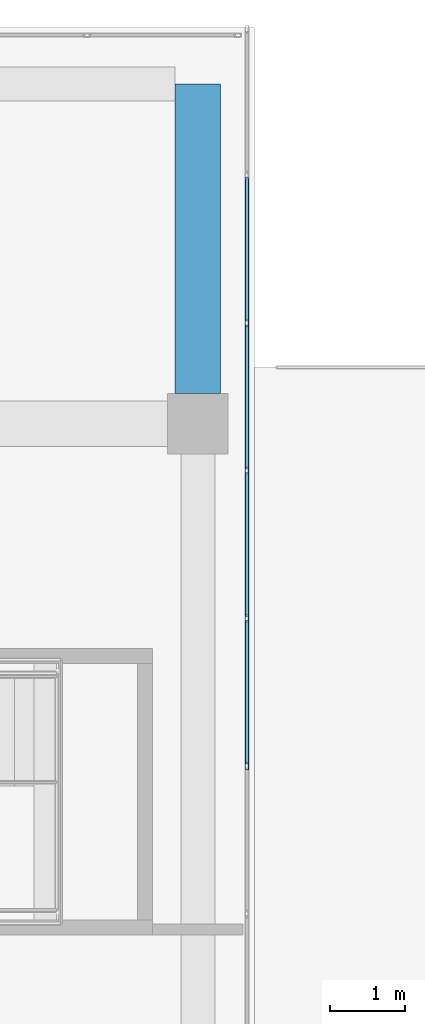
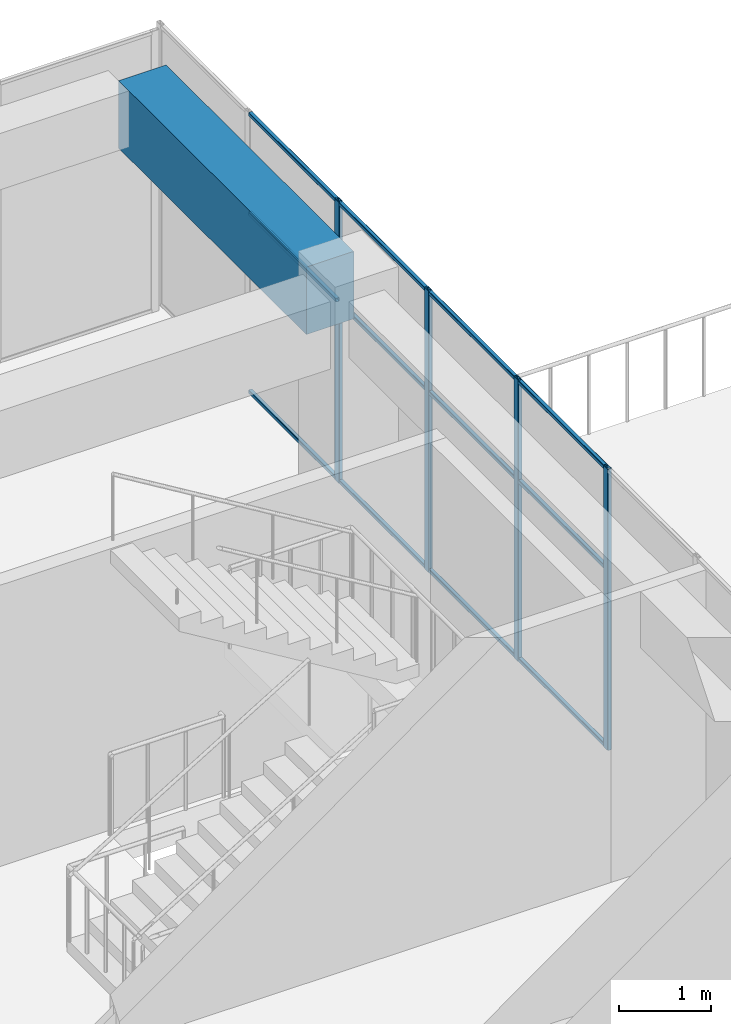
# One storey, part 51 of 81: 16 members, 1 beam, 1 element without a shape of its own.
"""IFC4 building model written with IfcOpenShell, lengths in metres."""

from ifc_helpers import new_model, si_unit, direction, frame, origin, origin_2d, place, context, subcontext, project, spatial, rectangle, hollow_rectangle, extrude, material, layer, layer_set, material_profile, profile_set, type_object, element, aggregate, save


model = new_model("IFC4")

# Units and contexts
model_context = context("Model", 3, precision=1e-05, world=origin(), true_north=direction((0.0, 1.0)))
body_context = subcontext(model_context, "Body", "Model", "MODEL_VIEW")
ifc_project = project(units=[si_unit("LENGTHUNIT", "METRE"), si_unit("AREAUNIT", "SQUARE_METRE"), si_unit("VOLUMEUNIT", "CUBIC_METRE"), si_unit("PLANEANGLEUNIT", "RADIAN"), si_unit("MASSUNIT", "GRAM", prefix="KILO")], contexts=[model_context])

# Site, building, storey
site_placement = place(None, origin())
site = spatial("IfcSite", under=ifc_project, at=site_placement, CompositionType="ELEMENT")
building_placement = place(site_placement, origin())
building = spatial("IfcBuilding", under=site, at=building_placement, Name="Tuart Plaza Theatre", CompositionType="ELEMENT")
storey_placement = place(building_placement, frame((0.0, 0.0, 17.5)))
storey = spatial("IfcBuildingStorey", under=building, at=storey_placement, Name="L04", CompositionType="ELEMENT", Elevation=17.5)

# Beam
ifc_material_1 = material(Name="Concrete N40 (40 MPa)", Category="concrete")
ifc_material_profile_1 = material_profile(ifc_material_1, rectangle(XDim=0.60009765625, YDim=0.89990234375, at=origin_2d()), Name="BEAM 600x900 Concrete N40 (40 MPa)")
ifc_profile_set_1 = profile_set([ifc_material_profile_1], Name="Concrete N40 (40 MPa)")
beam_type = type_object("IfcBeamType", Name="BEAM 600x900 Concrete N40 (40 MPa)", PredefinedType="BEAM", material=ifc_profile_set_1)
beam_placement = place(storey_placement, frame((141.0, 92.39990234375, 3.300048828125), z_axis=(0.0, 1.0, 0.0), x_axis=(-1.0, 0.0, 0.0)))
element("IfcBeam", 1, at=beam_placement, inside=storey, type_object=beam_type, Name="RB233", PredefinedType="BEAM", context=body_context, shape_type="SweptSolid", body=[
    extrude(rectangle(XDim=0.60009765625, YDim=0.89990234375, at=origin_2d()), origin(), (0.0, 0.0, 1.0), 4.10009765625),
])

# Curtain wall, members
ifc_material_2 = material(Name="Aluminium and glass", Category="aluminium")
ifc_layer = layer(ifc_material_2, 0.10009765625)
ifc_layer_set = layer_set([ifc_layer], Name="CURTAIN WALL 2000 module")
curtain_wall_type = type_object("IfcCurtainWallType", Name="CURTAIN WALL 2000 module", PredefinedType="NOTDEFINED", material=ifc_layer_set)
curtain_wall_placement = place(storey_placement, origin())
curtain_wall = element("IfcCurtainWall", 2, at=curtain_wall_placement, inside=storey, type_object=curtain_wall_type, Name="CW81", PredefinedType="NOTDEFINED")
ifc_material_3 = material(Name="Aluminium 6063-T5", Category="aluminium")
ifc_material_profile_2 = material_profile(ifc_material_3, hollow_rectangle(XDim=0.050048828125, YDim=0.10009765625, WallThickness=0.00390625, InnerFilletRadius=0.00390625, OuterFilletRadius=0.008056640625, at=origin_2d()), Name="RHS 100x50x4")
ifc_profile_set_2 = profile_set([ifc_material_profile_2], Name="Aluminium 6063-T5")
member_type_1 = type_object("IfcMemberType", Name="MULLION RHS 100x50x4", PredefinedType="MULLION", material=ifc_profile_set_2)
member_1_placement = place(storey_placement, frame((141.64990234375, 87.46435546875, 0.0), z_axis=(0.0, 0.0, 1.0), x_axis=(-1.0, 0.0, 0.0)))
member_1 = element("IfcMember", 3, at=member_1_placement, type_object=member_type_1, Name="CW81 mullion 3", PredefinedType="MULLION", context=body_context, shape_type="SweptSolid", body=[
    extrude(hollow_rectangle(XDim=0.050048828125, YDim=0.10009765625, WallThickness=0.00390625, InnerFilletRadius=0.00390625, OuterFilletRadius=0.008056640625, at=origin_2d()), origin(), (0.0, 0.0, 1.0), 3.75),
])
member_2_placement = place(storey_placement, frame((141.64990234375, 89.42138671875, 0.0), z_axis=(0.0, 0.0, 1.0), x_axis=(-1.0, 0.0, 0.0)))
member_2 = element("IfcMember", 4, at=member_2_placement, type_object=member_type_1, Name="CW81 mullion 4", PredefinedType="MULLION", context=body_context, shape_type="SweptSolid", body=[
    extrude(hollow_rectangle(XDim=0.050048828125, YDim=0.10009765625, WallThickness=0.00390625, InnerFilletRadius=0.00390625, OuterFilletRadius=0.008056640625, at=origin_2d()), origin(), (0.0, 0.0, 1.0), 3.75),
])
member_3_placement = place(storey_placement, frame((141.64990234375, 91.378662109375, 0.0), z_axis=(0.0, 0.0, 1.0), x_axis=(-1.0, 0.0, 0.0)))
member_3 = element("IfcMember", 5, at=member_3_placement, type_object=member_type_1, Name="CW81 mullion 5", PredefinedType="MULLION", context=body_context, shape_type="SweptSolid", body=[
    extrude(hollow_rectangle(XDim=0.050048828125, YDim=0.10009765625, WallThickness=0.00390625, InnerFilletRadius=0.00390625, OuterFilletRadius=0.008056640625, at=origin_2d()), origin(), (0.0, 0.0, 1.0), 3.75),
])
member_4_placement = place(storey_placement, frame((141.64990234375, 93.335693359375, 0.0), z_axis=(0.0, 0.0, 1.0), x_axis=(-1.0, 0.0, 0.0)))
member_4 = element("IfcMember", 6, at=member_4_placement, type_object=member_type_1, Name="CW81 mullion 6", PredefinedType="MULLION", context=body_context, shape_type="SweptSolid", body=[
    extrude(hollow_rectangle(XDim=0.050048828125, YDim=0.10009765625, WallThickness=0.00390625, InnerFilletRadius=0.00390625, OuterFilletRadius=0.008056640625, at=origin_2d()), origin(), (0.0, 0.0, 1.0), 3.75),
])
ifc_material_4 = material(Name="Aluminium 6063-T5", Category="aluminium")
ifc_material_profile_3 = material_profile(ifc_material_4, hollow_rectangle(XDim=0.050048828125, YDim=0.050048828125, WallThickness=0.00390625, InnerFilletRadius=0.00390625, OuterFilletRadius=0.008056640625, at=origin_2d()), Name="RHS 50x50x4")
ifc_profile_set_3 = profile_set([ifc_material_profile_3], Name="Aluminium 6063-T5")
member_type_2 = type_object("IfcMemberType", Name="TRANSOM RHS 50x50x4", PredefinedType="USERDEFINED", material=ifc_profile_set_3)
member_5_placement = place(storey_placement, frame((141.64990234375, 87.4892578125, 0.02490234375), z_axis=(0.0, 1.0, 0.0), x_axis=(-1.0, 0.0, 0.0)))
member_5 = element("IfcMember", 7, at=member_5_placement, type_object=member_type_2, Name="CW81 transom 3.1", ObjectType="TRANSOM", PredefinedType="USERDEFINED", context=body_context, shape_type="SweptSolid", body=[
    extrude(hollow_rectangle(XDim=0.050048828125, YDim=0.050048828125, WallThickness=0.00390625, InnerFilletRadius=0.00390625, OuterFilletRadius=0.008056640625, at=origin_2d()), origin(), (0.0, 0.0, 1.0), 1.9072265625),
])
member_6_placement = place(storey_placement, frame((141.64990234375, 87.4892578125, 2.39990234375), z_axis=(0.0, 1.0, 0.0), x_axis=(-1.0, 0.0, 0.0)))
member_6 = element("IfcMember", 8, at=member_6_placement, type_object=member_type_2, Name="CW81 transom 3.2", ObjectType="TRANSOM", PredefinedType="USERDEFINED", context=body_context, shape_type="SweptSolid", body=[
    extrude(hollow_rectangle(XDim=0.050048828125, YDim=0.050048828125, WallThickness=0.00390625, InnerFilletRadius=0.00390625, OuterFilletRadius=0.008056640625, at=origin_2d()), origin(), (0.0, 0.0, 1.0), 1.9072265625),
])
member_7_placement = place(storey_placement, frame((141.64990234375, 87.4892578125, 3.72509765625), z_axis=(0.0, 1.0, 0.0), x_axis=(-1.0, 0.0, 0.0)))
member_7 = element("IfcMember", 9, at=member_7_placement, type_object=member_type_2, Name="CW81 transom 3.3", ObjectType="TRANSOM", PredefinedType="USERDEFINED", context=body_context, shape_type="SweptSolid", body=[
    extrude(hollow_rectangle(XDim=0.050048828125, YDim=0.050048828125, WallThickness=0.00390625, InnerFilletRadius=0.00390625, OuterFilletRadius=0.008056640625, at=origin_2d()), origin(), (0.0, 0.0, 1.0), 1.9072265625),
])
member_8_placement = place(storey_placement, frame((141.64990234375, 89.446533203125, 0.02490234375), z_axis=(0.0, 1.0, 0.0), x_axis=(-1.0, 0.0, 0.0)))
member_8 = element("IfcMember", 10, at=member_8_placement, type_object=member_type_2, Name="CW81 transom 4.1", ObjectType="TRANSOM", PredefinedType="USERDEFINED", context=body_context, shape_type="SweptSolid", body=[
    extrude(hollow_rectangle(XDim=0.050048828125, YDim=0.050048828125, WallThickness=0.00390625, InnerFilletRadius=0.00390625, OuterFilletRadius=0.008056640625, at=origin_2d()), origin(), (0.0, 0.0, 1.0), 1.906982421875),
])
member_9_placement = place(storey_placement, frame((141.64990234375, 89.446533203125, 2.39990234375), z_axis=(0.0, 1.0, 0.0), x_axis=(-1.0, 0.0, 0.0)))
member_9 = element("IfcMember", 11, at=member_9_placement, type_object=member_type_2, Name="CW81 transom 4.2", ObjectType="TRANSOM", PredefinedType="USERDEFINED", context=body_context, shape_type="SweptSolid", body=[
    extrude(hollow_rectangle(XDim=0.050048828125, YDim=0.050048828125, WallThickness=0.00390625, InnerFilletRadius=0.00390625, OuterFilletRadius=0.008056640625, at=origin_2d()), origin(), (0.0, 0.0, 1.0), 1.906982421875),
])
member_10_placement = place(storey_placement, frame((141.64990234375, 89.446533203125, 3.72509765625), z_axis=(0.0, 1.0, 0.0), x_axis=(-1.0, 0.0, 0.0)))
member_10 = element("IfcMember", 12, at=member_10_placement, type_object=member_type_2, Name="CW81 transom 4.3", ObjectType="TRANSOM", PredefinedType="USERDEFINED", context=body_context, shape_type="SweptSolid", body=[
    extrude(hollow_rectangle(XDim=0.050048828125, YDim=0.050048828125, WallThickness=0.00390625, InnerFilletRadius=0.00390625, OuterFilletRadius=0.008056640625, at=origin_2d()), origin(), (0.0, 0.0, 1.0), 1.906982421875),
])
member_11_placement = place(storey_placement, frame((141.64990234375, 91.403564453125, 0.02490234375), z_axis=(0.0, 1.0, 0.0), x_axis=(-1.0, 0.0, 0.0)))
member_11 = element("IfcMember", 13, at=member_11_placement, type_object=member_type_2, Name="CW81 transom 5.1", ObjectType="TRANSOM", PredefinedType="USERDEFINED", context=body_context, shape_type="SweptSolid", body=[
    extrude(hollow_rectangle(XDim=0.050048828125, YDim=0.050048828125, WallThickness=0.00390625, InnerFilletRadius=0.00390625, OuterFilletRadius=0.008056640625, at=origin_2d()), origin(), (0.0, 0.0, 1.0), 1.9072265625),
])
member_12_placement = place(storey_placement, frame((141.64990234375, 91.403564453125, 2.39990234375), z_axis=(0.0, 1.0, 0.0), x_axis=(-1.0, 0.0, 0.0)))
member_12 = element("IfcMember", 14, at=member_12_placement, type_object=member_type_2, Name="CW81 transom 5.2", ObjectType="TRANSOM", PredefinedType="USERDEFINED", context=body_context, shape_type="SweptSolid", body=[
    extrude(hollow_rectangle(XDim=0.050048828125, YDim=0.050048828125, WallThickness=0.00390625, InnerFilletRadius=0.00390625, OuterFilletRadius=0.008056640625, at=origin_2d()), origin(), (0.0, 0.0, 1.0), 1.9072265625),
])
member_13_placement = place(storey_placement, frame((141.64990234375, 91.403564453125, 3.72509765625), z_axis=(0.0, 1.0, 0.0), x_axis=(-1.0, 0.0, 0.0)))
member_13 = element("IfcMember", 15, at=member_13_placement, type_object=member_type_2, Name="CW81 transom 5.3", ObjectType="TRANSOM", PredefinedType="USERDEFINED", context=body_context, shape_type="SweptSolid", body=[
    extrude(hollow_rectangle(XDim=0.050048828125, YDim=0.050048828125, WallThickness=0.00390625, InnerFilletRadius=0.00390625, OuterFilletRadius=0.008056640625, at=origin_2d()), origin(), (0.0, 0.0, 1.0), 1.9072265625),
])
member_14_placement = place(storey_placement, frame((141.64990234375, 93.360595703125, 0.02490234375), z_axis=(0.0, 1.0, 0.0), x_axis=(-1.0, 0.0, 0.0)))
member_14 = element("IfcMember", 16, at=member_14_placement, type_object=member_type_2, Name="CW81 transom 6.1", ObjectType="TRANSOM", PredefinedType="USERDEFINED", context=body_context, shape_type="SweptSolid", body=[
    extrude(hollow_rectangle(XDim=0.050048828125, YDim=0.050048828125, WallThickness=0.00390625, InnerFilletRadius=0.00390625, OuterFilletRadius=0.008056640625, at=origin_2d()), origin(), (0.0, 0.0, 1.0), 1.9072265625),
])
member_15_placement = place(storey_placement, frame((141.64990234375, 93.360595703125, 2.39990234375), z_axis=(0.0, 1.0, 0.0), x_axis=(-1.0, 0.0, 0.0)))
member_15 = element("IfcMember", 17, at=member_15_placement, type_object=member_type_2, Name="CW81 transom 6.2", ObjectType="TRANSOM", PredefinedType="USERDEFINED", context=body_context, shape_type="SweptSolid", body=[
    extrude(hollow_rectangle(XDim=0.050048828125, YDim=0.050048828125, WallThickness=0.00390625, InnerFilletRadius=0.00390625, OuterFilletRadius=0.008056640625, at=origin_2d()), origin(), (0.0, 0.0, 1.0), 1.9072265625),
])
member_16_placement = place(storey_placement, frame((141.64990234375, 93.360595703125, 3.72509765625), z_axis=(0.0, 1.0, 0.0), x_axis=(-1.0, 0.0, 0.0)))
member_16 = element("IfcMember", 18, at=member_16_placement, type_object=member_type_2, Name="CW81 transom 6.3", ObjectType="TRANSOM", PredefinedType="USERDEFINED", context=body_context, shape_type="SweptSolid", body=[
    extrude(hollow_rectangle(XDim=0.050048828125, YDim=0.050048828125, WallThickness=0.00390625, InnerFilletRadius=0.00390625, OuterFilletRadius=0.008056640625, at=origin_2d()), origin(), (0.0, 0.0, 1.0), 1.9072265625),
])
aggregate(curtain_wall, [member_1, member_2, member_3, member_4, member_5, member_6, member_7, member_8, member_9, member_10, member_11, member_12, member_13, member_14, member_15, member_16])

save(model, "model.ifc")
